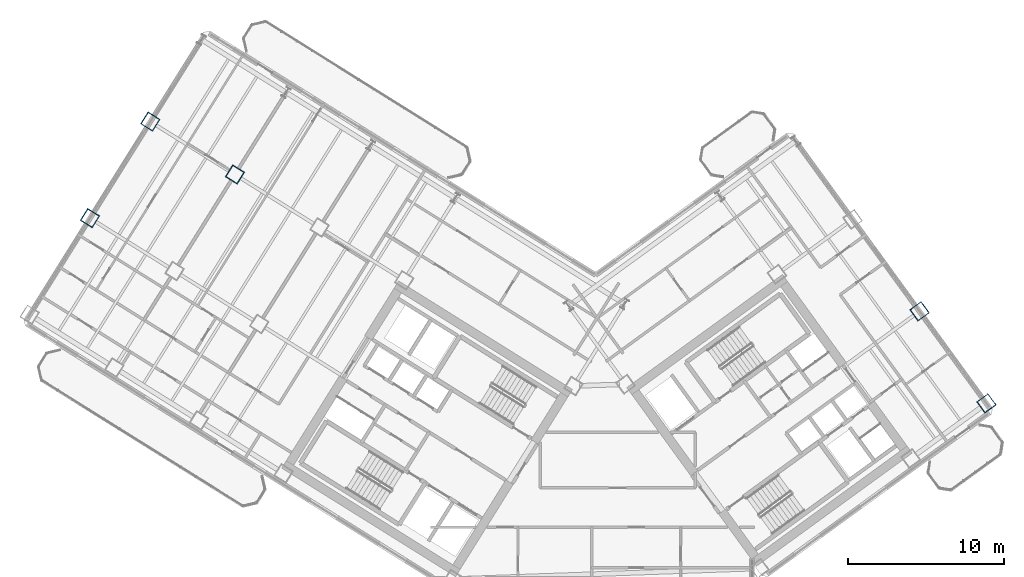
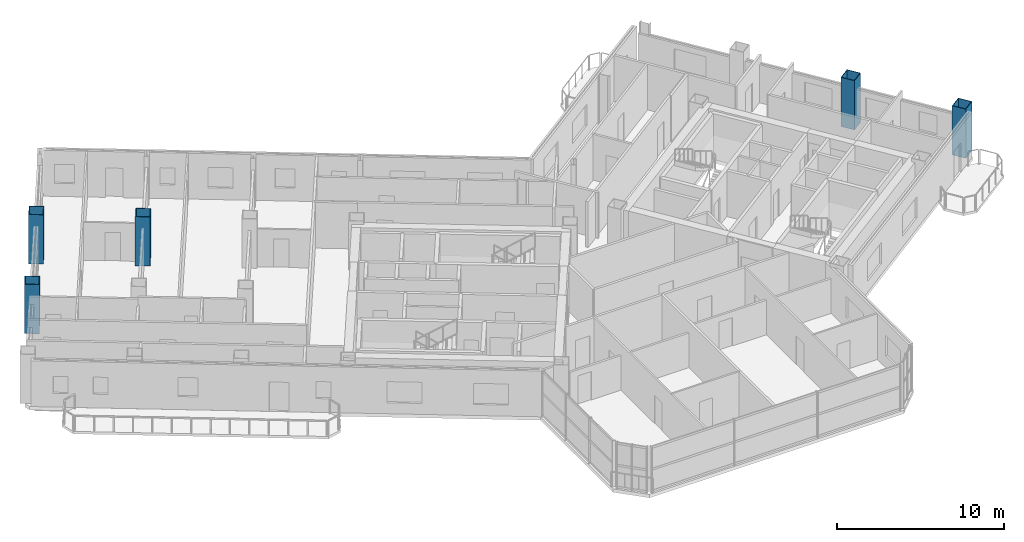
# One storey, part 2 of 21: 5 columns.
"""IFC4 building model written with IfcOpenShell, lengths in metres."""

from ifc_helpers import new_model, si_unit, direction, frame, origin, origin_2d, place, context, subcontext, project, spatial, hollow_rectangle, extrude, source, transform, mapped, material, material_profile, profile_set, type_object, element, save


model = new_model("IFC4")

# Units and contexts
model_context = context("Model", 3, precision=1e-05, world=origin(), true_north=direction((0.0, 1.0)))
body_context = subcontext(model_context, "Body", "Model", "MODEL_VIEW")
ifc_project = project(units=[si_unit("LENGTHUNIT", "METRE"), si_unit("AREAUNIT", "SQUARE_METRE"), si_unit("VOLUMEUNIT", "CUBIC_METRE"), si_unit("PLANEANGLEUNIT", "RADIAN"), si_unit("MASSUNIT", "GRAM", prefix="KILO")], contexts=[model_context])

# Site, building, storey
site_placement = place(None, origin())
site = spatial("IfcSite", under=ifc_project, at=site_placement, CompositionType="ELEMENT")
building_placement = place(site_placement, origin())
building = spatial("IfcBuilding", under=site, at=building_placement, Name="Tlacorven Tower", CompositionType="ELEMENT")
storey_placement = place(building_placement, frame((0.0, 0.0, 105.300048828125)))
storey = spatial("IfcBuildingStorey", under=building, at=storey_placement, Name="L26", CompositionType="ELEMENT", Elevation=105.300048828125)

# Columns
ifc_material = material(Name="Steel S460M", Category="steel")
ifc_material_profile = material_profile(ifc_material, hollow_rectangle(XDim=0.89990234375, YDim=0.89990234375, WallThickness=0.035888671875, at=origin_2d()), Name="BOX 900X900X36")
ifc_profile_set = profile_set([ifc_material_profile], Name="Steel S460M")
column_type = type_object("IfcColumnType", Name="COL-TWR-S2", PredefinedType="COLUMN", material=ifc_profile_set)
shared_shape = source(origin(), body_context, "Body", "SweptSolid", [
    extrude(hollow_rectangle(XDim=0.89990234375, YDim=0.89990234375, WallThickness=0.035888671875, at=origin_2d()), origin(), (0.0, 0.0, 1.0), 3.599853515625),
])
for number, where, z_axis, x_axis, name in (
    (1, (19.072998046875, 38.034423828125, 0.0), (0.0, 0.0, 1.0), (-0.848048096156, 0.529919264233, 0.0), "L26 column COL-L26-W5-2"),
    (2, (13.6455078125, 41.42578125, 0.0), (0.0, 0.0, 1.0), (-0.848048096156, 0.529919264233, 0.0), "L26 column COL-L26-W6-2"),
    (3, (9.777099609375, 35.235107421875, 0.0), (0.0, 0.0, 1.0), (-0.848048096156, 0.529919264233, 0.0), "L26 column COL-L26-W6-3"),
    (4, (67.267822265625, 23.353515625, 0.0), (0.0, 0.0, 1.0), (0.809016994375, 0.587785252292, 0.0), "L26 column COL-L26-E4-1"),
    (5, (62.976806640625, 29.25927734375, 0.0), (0.0, 0.0, 1.0), (0.809016994375, 0.587785252292, 0.0), "L26 column COL-L26-E4-2"),
):
    element("IfcColumn", number, at=place(storey_placement, frame(where, z_axis=z_axis, x_axis=x_axis)), inside=storey, type_object=column_type, Name=name, PredefinedType="COLUMN", context=body_context, shape_type="MappedRepresentation", body=[
        mapped(shared_shape, transform((0.0, 0.0, 0.0), scale=1.0)),
    ])

save(model, "model.ifc")
